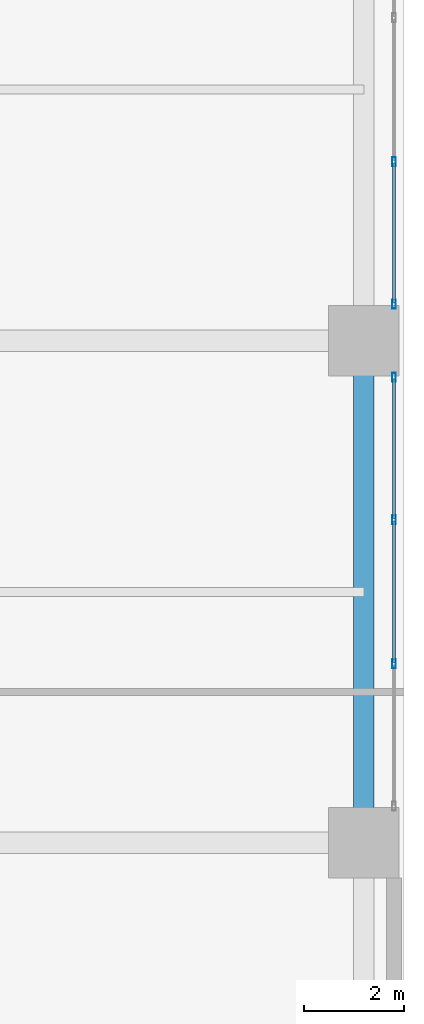
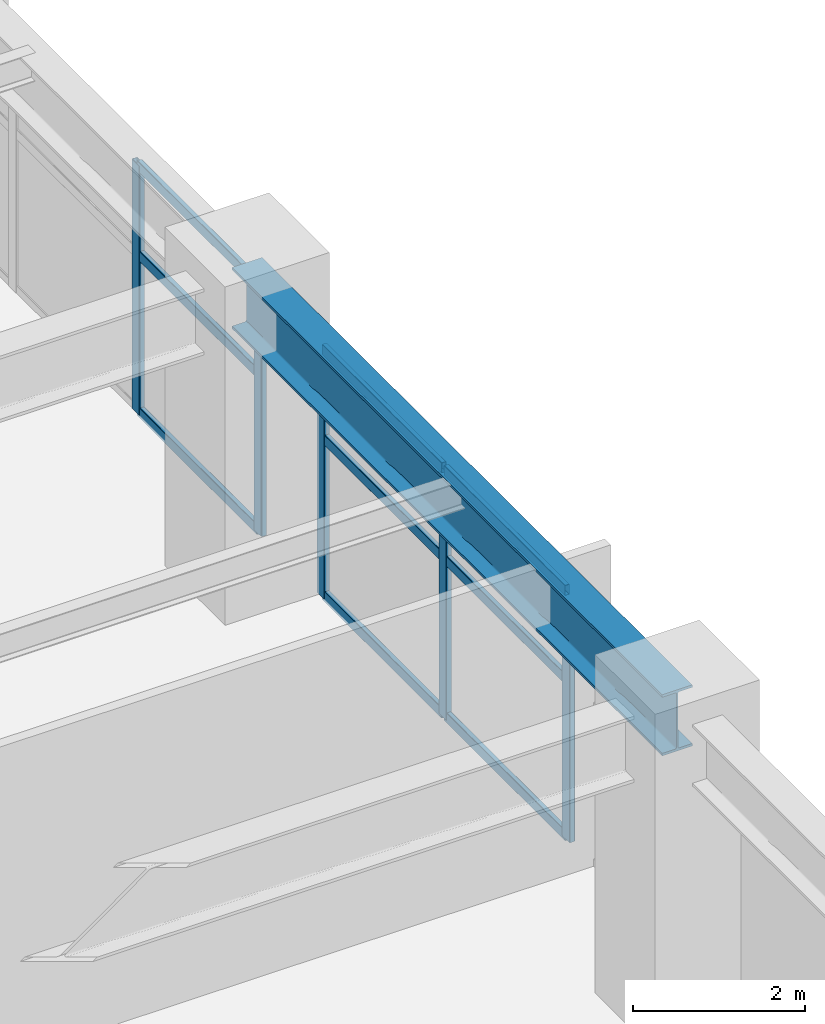
# One storey, part 15 of 28: 14 members, 1 beam, 2 elements without a shape of their own.
"""IFC4 building model written with IfcOpenShell, lengths in metres."""

import ifcopenshell
import ifcopenshell.guid

model = None  # the IFC model being written
_history = None  # IfcOwnerHistory: only IFC2X3 demands one
_inside = {}  # id of a spatial element -> (the spatial element, [elements in it])
_under = {}  # id of a project, library or spatial element -> (it, [spatial elements below it])
_declared = {}  # id of a project -> (the project, [libraries it declares])
_typed = {}  # id of a type object -> (the type object, [elements of that type])
_made_of = {}  # id of a material, layer set ... -> (it, [elements and type objects made of it])


def new_model(schema):
    """Start an empty IFC model of exactly this schema.

    Asked for "IFC4X3", IfcOpenShell would pick the latest addendum, in which some entities
    have other attributes; the version numbers below select the first issue.
    IFC2X3 requires an IfcOwnerHistory on every rooted entity: one is made here for all.
    """
    global model, _history
    if schema == "IFC4X3":
        model = ifcopenshell.file(schema_version=(4, 3, 0, 0))
    else:
        model = ifcopenshell.file(schema=schema)
    _inside.clear()
    _under.clear()
    _declared.clear()
    _typed.clear()
    _made_of.clear()
    _history = None
    if model.schema == "IFC2X3":
        org = make("IfcOrganization", Name="unknown")
        user = make(
            "IfcPersonAndOrganization",
            ThePerson=make("IfcPerson", FamilyName="unknown"),
            TheOrganization=org,
        )
        app = make(
            "IfcApplication",
            ApplicationDeveloper=org,
            Version="unknown",
            ApplicationFullName="unknown",
            ApplicationIdentifier="unknown",
        )
        _history = make(
            "IfcOwnerHistory",
            OwningUser=user,
            OwningApplication=app,
            ChangeAction="ADDED",
            CreationDate=0,
        )
    return model


def make(cls, **values):
    """One entity of the class cls with the attributes given. An attribute that is None is left unset."""
    return model.create_entity(
        cls, **{name: value for name, value in values.items() if value is not None}
    )


def rooted(cls, **values):
    """An entity with a GlobalId (a new one), such as an element, a storey or a relation."""
    return make(cls, GlobalId=ifcopenshell.guid.new(), OwnerHistory=_history, **values)


def si_unit(unit_type, name, prefix=None):
    """IfcSIUnit, for example si_unit("LENGTHUNIT", "METRE", prefix="MILLI")."""
    return make("IfcSIUnit", UnitType=unit_type, Prefix=prefix, Name=name)


def assignment(units):
    """IfcUnitAssignment: the units of a project."""
    return None if units is None else make("IfcUnitAssignment", Units=units)


def point(xyz):
    """IfcCartesianPoint."""
    return None if xyz is None else make("IfcCartesianPoint", Coordinates=xyz)


def direction(xyz):
    """IfcDirection."""
    return None if xyz is None else make("IfcDirection", DirectionRatios=xyz)


def frame(location, z_axis=None, x_axis=None):
    """IfcAxis2Placement3D, a coordinate frame: its origin and axes. An axis left out is left unset."""
    return make(
        "IfcAxis2Placement3D",
        Location=point(location),
        Axis=direction(z_axis),
        RefDirection=direction(x_axis),
    )


def frame_2d(location, x_axis=None):
    """IfcAxis2Placement2D, a coordinate frame in the plane: its origin and x axis."""
    return make(
        "IfcAxis2Placement2D", Location=point(location), RefDirection=direction(x_axis)
    )


def origin():
    """The frame at (0, 0, 0) with its axes left unset."""
    return frame((0.0, 0.0, 0.0))


def origin_2d():
    """The frame at (0, 0) in the plane with its x axis left unset."""
    return frame_2d((0.0, 0.0))


def place(relative_to, where):
    """IfcLocalPlacement: puts the frame where relative to a parent placement (None: the world)."""
    return make(
        "IfcLocalPlacement", PlacementRelTo=relative_to, RelativePlacement=where
    )


def context(
    kind, dimensions, precision=None, world=None, true_north=None, identifier=None
):
    """IfcGeometricRepresentationContext, for example the 3D "Model" context."""
    return make(
        "IfcGeometricRepresentationContext",
        ContextIdentifier=identifier,
        ContextType=kind,
        CoordinateSpaceDimension=dimensions,
        Precision=precision,
        WorldCoordinateSystem=world,
        TrueNorth=true_north,
    )


def subcontext(parent, identifier, kind, view, scale=None):
    """IfcGeometricRepresentationSubContext, for example "Body" below "Model"."""
    return make(
        "IfcGeometricRepresentationSubContext",
        ContextIdentifier=identifier,
        ContextType=kind,
        ParentContext=parent,
        TargetScale=scale,
        TargetView=view,
    )


def project(units=None, contexts=None):
    """IfcProject with its units and contexts."""
    return rooted(
        "IfcProject",
        Name="project",
        RepresentationContexts=contexts,
        UnitsInContext=assignment(units),
    )


def spatial(cls, under=None, at=None, **own):
    """A site, building, storey or space (cls), placed at a placement, below another one or the project."""
    s = rooted(cls, ObjectPlacement=at, **own)
    if under is not None:
        _under.setdefault(under.id(), (under, []))[1].append(s)
    return s


def profile(cls, at=None, kind="AREA", **sizes):
    """A parametric profile (cls). Its sizes go by their IFC names, for example OverallWidth=200.0."""
    return make(cls, ProfileType=kind, Position=at, **sizes)


def hollow_rectangle(**sizes):
    """IfcRectangleHollowProfileDef."""
    return profile("IfcRectangleHollowProfileDef", **sizes)


def i_section(**sizes):
    """IfcIShapeProfileDef."""
    return profile("IfcIShapeProfileDef", **sizes)


def extrude(swept, where, along, depth):
    """IfcExtrudedAreaSolid: the profile swept, set in the frame where, extruded along a direction by depth."""
    return make(
        "IfcExtrudedAreaSolid",
        SweptArea=swept,
        Position=where,
        ExtrudedDirection=direction(along),
        Depth=depth,
    )


def shape(context_of_items, identifier, shape_type, items):
    """IfcShapeRepresentation: the items that make up one representation, for example the "Body"."""
    return make(
        "IfcShapeRepresentation",
        ContextOfItems=context_of_items,
        RepresentationIdentifier=identifier,
        RepresentationType=shape_type,
        Items=items,
    )


def material(Name=None, Category=None):
    """IfcMaterial."""
    return make("IfcMaterial", Name=Name, Category=Category)


def layer(
    of_material, thickness, ventilated=None, Name=None, Category=None, Priority=None
):
    """IfcMaterialLayer: one layer of a wall or slab, of a material (None: an air gap)."""
    return make(
        "IfcMaterialLayer",
        Material=of_material,
        LayerThickness=thickness,
        IsVentilated=ventilated,
        Name=Name,
        Category=Category,
        Priority=Priority,
    )


def layer_set(layers, Name=None):
    """IfcMaterialLayerSet."""
    return make("IfcMaterialLayerSet", MaterialLayers=layers, LayerSetName=Name)


def material_profile(
    of_material, cross_section, Name=None, Category=None, Priority=None
):
    """IfcMaterialProfile: a cross section and its material."""
    return make(
        "IfcMaterialProfile",
        Name=Name,
        Material=of_material,
        Profile=cross_section,
        Priority=Priority,
        Category=Category,
    )


def profile_set(profiles, Name=None, composite=None):
    """IfcMaterialProfileSet."""
    return make(
        "IfcMaterialProfileSet",
        Name=Name,
        MaterialProfiles=profiles,
        CompositeProfile=composite,
    )


def made_of(thing, what):
    """Note that an element or type object is made of a material, layer set ...; save() writes the relation."""
    if what is not None:
        _made_of.setdefault(what.id(), (what, []))[1].append(thing)
    return thing


def type_object(cls, material=None, **own):
    """A type object (cls), such as IfcWallType, which elements share."""
    return made_of(rooted(cls, **own), material)


def element(
    cls,
    number,
    at=None,
    inside=None,
    cuts=None,
    type_object=None,
    material=None,
    context=None,
    identifier="Body",
    shape_type=None,
    held_by="IfcProductDefinitionShape",
    body=None,
    shapes=None,
    **own,
):
    """One element of the class cls, such as IfcWall. Its Tag is "e" and its number.

    at: its placement. inside: the storey or other place that contains it. cuts: it is an
    opening in that element (IfcRelVoidsElement). A single representation is given by context,
    identifier, shape_type and body (its items); several are given by shapes. held_by: the class
    of the entity that holds the representations. save() writes the other relations.
    """
    e = rooted(cls, Tag="e%d" % number, ObjectPlacement=at, **own)
    if body is not None:
        shapes = [shape(context, identifier, shape_type, body)]
    if shapes is not None:
        e.Representation = make(held_by, Representations=shapes)
    if inside is not None:
        _inside.setdefault(inside.id(), (inside, []))[1].append(e)
    if cuts is not None:
        rooted(
            "IfcRelVoidsElement", RelatingBuildingElement=cuts, RelatedOpeningElement=e
        )
    if type_object is not None:
        _typed.setdefault(type_object.id(), (type_object, []))[1].append(e)
    return made_of(e, material)


def aggregate(whole, parts):
    """IfcRelAggregates: a whole, such as a stair, and the parts it consists of."""
    return rooted("IfcRelAggregates", RelatingObject=whole, RelatedObjects=parts)


def save(model, path):
    """Write the relations noted so far, then the file.

    IfcRelAggregates (storeys below a building ...), IfcRelContainedInSpatialStructure (elements
    in a storey), IfcRelDefinesByType, IfcRelAssociatesMaterial and IfcRelDeclares: one each for
    every whole, place, type object, material and project.
    """
    for whole, parts in _under.values():
        aggregate(whole, parts)
    for where, things in _inside.values():
        rooted(
            "IfcRelContainedInSpatialStructure",
            RelatedElements=things,
            RelatingStructure=where,
        )
    for kind, things in _typed.values():
        rooted("IfcRelDefinesByType", RelatedObjects=things, RelatingType=kind)
    for what, things in _made_of.values():
        rooted("IfcRelAssociatesMaterial", RelatedObjects=things, RelatingMaterial=what)
    for by, libraries in _declared.values():
        rooted("IfcRelDeclares", RelatingContext=by, RelatedDefinitions=libraries)
    model.write(path)


model = new_model("IFC4")

# Units and contexts
model_context = context("Model", 3, precision=1e-05, world=origin(), true_north=direction((0.0, 1.0)))
body_context = subcontext(model_context, "Body", "Model", "MODEL_VIEW")
ifc_project = project(units=[si_unit("LENGTHUNIT", "METRE"), si_unit("AREAUNIT", "SQUARE_METRE"), si_unit("VOLUMEUNIT", "CUBIC_METRE"), si_unit("PLANEANGLEUNIT", "RADIAN"), si_unit("MASSUNIT", "GRAM", prefix="KILO")], contexts=[model_context])

# Site, building, storey
site_placement = place(None, origin())
site = spatial("IfcSite", under=ifc_project, at=site_placement, CompositionType="ELEMENT")
building_placement = place(site_placement, origin())
building = spatial("IfcBuilding", under=site, at=building_placement, Name="Soratama Intermodal Tower", CompositionType="ELEMENT")
storey_placement = place(building_placement, frame((0.0, 0.0, 11.39990234375)))
storey = spatial("IfcBuildingStorey", under=building, at=storey_placement, Name="L02", CompositionType="ELEMENT", Elevation=11.39990234375)

# Beam
ifc_material_1 = material(Name="Structural steel ASTM A992 Grade 50", Category="steel")
ifc_material_profile_1 = material_profile(ifc_material_1, i_section(OverallWidth=0.403076171875, OverallDepth=0.867919921875, WebThickness=0.02099609375, FlangeThickness=0.03564453125, FilletRadius=0.01806640625, at=origin_2d()), Name="W33X241")
ifc_profile_set_1 = profile_set([ifc_material_profile_1], Name="Structural steel ASTM A992 Grade 50")
beam_type = type_object("IfcBeamType", Name="BM-POD-EXT-W33", PredefinedType="BEAM", material=ifc_profile_set_1)
beam_placement = place(storey_placement, frame((83.199951171875, 15.0, 4.046142578125), z_axis=(0.0, 1.0, 0.0), x_axis=(-1.0, 0.0, 0.0)))
element("IfcBeam", 1, at=beam_placement, inside=storey, type_object=beam_type, Name="L02 Station Girder Y4-2", PredefinedType="BEAM", context=body_context, shape_type="SweptSolid", body=[
    extrude(i_section(OverallWidth=0.403076171875, OverallDepth=0.867919921875, WebThickness=0.02099609375, FlangeThickness=0.03564453125, FilletRadius=0.01806640625, at=origin_2d()), origin(), (0.0, 0.0, 1.0), 10.0),
])

# Curtain wall, members
ifc_material_2 = material(Name="Double-glazed aluminium curtain wall", Category="aluminium")
ifc_layer = layer(ifc_material_2, 0.159912109375)
ifc_layer_set = layer_set([ifc_layer], Name="Double-glazed aluminium curtain wall")
curtain_wall_type = type_object("IfcCurtainWallType", Name="CW-SYS-1", PredefinedType="NOTDEFINED", material=ifc_layer_set)
curtain_wall_1_placement = place(storey_placement, origin())
curtain_wall_1 = element("IfcCurtainWall", 2, at=curtain_wall_1_placement, inside=storey, type_object=curtain_wall_type, Name="L02 Station Curtain Wall E1", PredefinedType="NOTDEFINED")
ifc_material_3 = material(Name="Anodised aluminium AA 6063-T6", Category="aluminium")
ifc_material_profile_2 = material_profile(ifc_material_3, hollow_rectangle(XDim=0.074951171875, YDim=0.179931640625, WallThickness=0.006103515625, InnerFilletRadius=0.006103515625, OuterFilletRadius=0.011962890625, at=origin_2d()), Name="CWM180X75X6")
ifc_profile_set_2 = profile_set([ifc_material_profile_2], Name="Anodised aluminium AA 6063-T6")
member_type_1 = type_object("IfcMemberType", Name="MT-CWM-1", PredefinedType="MULLION", material=ifc_profile_set_2)
member_1_placement = place(storey_placement, frame((83.800048828125, 18.566650390625, 0.0), z_axis=(0.0, 0.0, 1.0), x_axis=(-1.0, 0.0, 0.0)))
member_1 = element("IfcMember", 3, at=member_1_placement, type_object=member_type_1, Name="CW-1 mullion 2", PredefinedType="MULLION", context=body_context, shape_type="SweptSolid", body=[
    extrude(hollow_rectangle(XDim=0.074951171875, YDim=0.179931640625, WallThickness=0.006103515625, InnerFilletRadius=0.006103515625, OuterFilletRadius=0.011962890625, at=origin_2d()), origin(), (0.0, 0.0, 1.0), 3.5361328125),
])
member_2_placement = place(storey_placement, frame((83.800048828125, 21.433349609375, 0.0), z_axis=(0.0, 0.0, 1.0), x_axis=(-1.0, 0.0, 0.0)))
member_2 = element("IfcMember", 4, at=member_2_placement, type_object=member_type_1, Name="CW-1 mullion 3", PredefinedType="MULLION", context=body_context, shape_type="SweptSolid", body=[
    extrude(hollow_rectangle(XDim=0.074951171875, YDim=0.179931640625, WallThickness=0.006103515625, InnerFilletRadius=0.006103515625, OuterFilletRadius=0.011962890625, at=origin_2d()), origin(), (0.0, 0.0, 1.0), 3.5361328125),
])
member_3_placement = place(storey_placement, frame((83.800048828125, 24.27001953125, 0.0), z_axis=(0.0, 0.0, 1.0), x_axis=(-1.0, 0.0, 0.0)))
member_3 = element("IfcMember", 5, at=member_3_placement, type_object=member_type_1, Name="CW-1 mullion 4", PredefinedType="MULLION", context=body_context, shape_type="SweptSolid", body=[
    extrude(hollow_rectangle(XDim=0.074951171875, YDim=0.179931640625, WallThickness=0.006103515625, InnerFilletRadius=0.006103515625, OuterFilletRadius=0.011962890625, at=origin_2d()), origin(), (0.0, 0.0, 1.0), 3.5361328125),
])

curtain_wall_2_placement = place(storey_placement, origin())
curtain_wall_2 = element("IfcCurtainWall", 6, at=curtain_wall_2_placement, inside=storey, type_object=curtain_wall_type, Name="L02 Station Curtain Wall E2", PredefinedType="NOTDEFINED")
member_4_placement = place(storey_placement, frame((83.800048828125, 25.72998046875, 0.0), z_axis=(0.0, 0.0, 1.0), x_axis=(-1.0, 0.0, 0.0)))
member_4 = element("IfcMember", 7, at=member_4_placement, type_object=member_type_1, Name="CW-1 mullion 1", PredefinedType="MULLION", context=body_context, shape_type="SweptSolid", body=[
    extrude(hollow_rectangle(XDim=0.074951171875, YDim=0.179931640625, WallThickness=0.006103515625, InnerFilletRadius=0.006103515625, OuterFilletRadius=0.011962890625, at=origin_2d()), origin(), (0.0, 0.0, 1.0), 3.5361328125),
])
member_5_placement = place(storey_placement, frame((83.800048828125, 28.566650390625, 0.0), z_axis=(0.0, 0.0, 1.0), x_axis=(-1.0, 0.0, 0.0)))
member_5 = element("IfcMember", 8, at=member_5_placement, type_object=member_type_1, Name="CW-1 mullion 2", PredefinedType="MULLION", context=body_context, shape_type="SweptSolid", body=[
    extrude(hollow_rectangle(XDim=0.074951171875, YDim=0.179931640625, WallThickness=0.006103515625, InnerFilletRadius=0.006103515625, OuterFilletRadius=0.011962890625, at=origin_2d()), origin(), (0.0, 0.0, 1.0), 3.5361328125),
])

# Member
ifc_material_4 = material(Name="Anodised aluminium AA 6063-T6", Category="aluminium")
ifc_material_profile_3 = material_profile(ifc_material_4, hollow_rectangle(XDim=0.06494140625, YDim=0.14990234375, WallThickness=0.0048828125, InnerFilletRadius=0.0048828125, OuterFilletRadius=0.010009765625, at=origin_2d()), Name="CWT150X65X5")
ifc_profile_set_3 = profile_set([ifc_material_profile_3], Name="Anodised aluminium AA 6063-T6")
member_type_2 = type_object("IfcMemberType", Name="TT-CWT-1", PredefinedType="USERDEFINED", material=ifc_profile_set_3)
member_6_placement = place(storey_placement, frame((83.800048828125, 18.5966796875, 0.030029296875), z_axis=(0.0, 1.0, 0.0), x_axis=(-1.0, 0.0, 0.0)))
member_6 = element("IfcMember", 9, at=member_6_placement, type_object=member_type_2, Name="CW-1 transom 2.1", ObjectType="TRANSOM", PredefinedType="USERDEFINED", context=body_context, shape_type="SweptSolid", body=[
    extrude(hollow_rectangle(XDim=0.06494140625, YDim=0.14990234375, WallThickness=0.0048828125, InnerFilletRadius=0.0048828125, OuterFilletRadius=0.010009765625, at=origin_2d()), origin(), (0.0, 0.0, 1.0), 2.806640625),
])

member_7_placement = place(storey_placement, frame((83.800048828125, 18.5966796875, 2.25), z_axis=(0.0, 1.0, 0.0), x_axis=(-1.0, 0.0, 0.0)))
member_7 = element("IfcMember", 10, at=member_7_placement, type_object=member_type_2, Name="CW-1 transom 2.2", ObjectType="TRANSOM", PredefinedType="USERDEFINED", context=body_context, shape_type="SweptSolid", body=[
    extrude(hollow_rectangle(XDim=0.06494140625, YDim=0.14990234375, WallThickness=0.0048828125, InnerFilletRadius=0.0048828125, OuterFilletRadius=0.010009765625, at=origin_2d()), origin(), (0.0, 0.0, 1.0), 2.806640625),
])

member_8_placement = place(storey_placement, frame((83.800048828125, 18.5966796875, 3.506103515625), z_axis=(0.0, 1.0, 0.0), x_axis=(-1.0, 0.0, 0.0)))
member_8 = element("IfcMember", 11, at=member_8_placement, type_object=member_type_2, Name="CW-1 transom 2.3", ObjectType="TRANSOM", PredefinedType="USERDEFINED", context=body_context, shape_type="SweptSolid", body=[
    extrude(hollow_rectangle(XDim=0.06494140625, YDim=0.14990234375, WallThickness=0.0048828125, InnerFilletRadius=0.0048828125, OuterFilletRadius=0.010009765625, at=origin_2d()), origin(), (0.0, 0.0, 1.0), 2.806640625),
])

member_9_placement = place(storey_placement, frame((83.800048828125, 21.46337890625, 0.030029296875), z_axis=(0.0, 1.0, 0.0), x_axis=(-1.0, 0.0, 0.0)))
member_9 = element("IfcMember", 12, at=member_9_placement, type_object=member_type_2, Name="CW-1 transom 3.1", ObjectType="TRANSOM", PredefinedType="USERDEFINED", context=body_context, shape_type="SweptSolid", body=[
    extrude(hollow_rectangle(XDim=0.06494140625, YDim=0.14990234375, WallThickness=0.0048828125, InnerFilletRadius=0.0048828125, OuterFilletRadius=0.010009765625, at=origin_2d()), origin(), (0.0, 0.0, 1.0), 2.776611328125),
])

member_10_placement = place(storey_placement, frame((83.800048828125, 21.46337890625, 2.25), z_axis=(0.0, 1.0, 0.0), x_axis=(-1.0, 0.0, 0.0)))
member_10 = element("IfcMember", 13, at=member_10_placement, type_object=member_type_2, Name="CW-1 transom 3.2", ObjectType="TRANSOM", PredefinedType="USERDEFINED", context=body_context, shape_type="SweptSolid", body=[
    extrude(hollow_rectangle(XDim=0.06494140625, YDim=0.14990234375, WallThickness=0.0048828125, InnerFilletRadius=0.0048828125, OuterFilletRadius=0.010009765625, at=origin_2d()), origin(), (0.0, 0.0, 1.0), 2.776611328125),
])

member_11_placement = place(storey_placement, frame((83.800048828125, 21.46337890625, 3.506103515625), z_axis=(0.0, 1.0, 0.0), x_axis=(-1.0, 0.0, 0.0)))
member_11 = element("IfcMember", 14, at=member_11_placement, type_object=member_type_2, Name="CW-1 transom 3.3", ObjectType="TRANSOM", PredefinedType="USERDEFINED", context=body_context, shape_type="SweptSolid", body=[
    extrude(hollow_rectangle(XDim=0.06494140625, YDim=0.14990234375, WallThickness=0.0048828125, InnerFilletRadius=0.0048828125, OuterFilletRadius=0.010009765625, at=origin_2d()), origin(), (0.0, 0.0, 1.0), 2.776611328125),
])

aggregate(curtain_wall_1, [member_1, member_2, member_3, member_6, member_7, member_8, member_9, member_10, member_11])

member_12_placement = place(storey_placement, frame((83.800048828125, 25.760009765625, 0.030029296875), z_axis=(0.0, 1.0, 0.0), x_axis=(-1.0, 0.0, 0.0)))
member_12 = element("IfcMember", 15, at=member_12_placement, type_object=member_type_2, Name="CW-1 transom 1.1", ObjectType="TRANSOM", PredefinedType="USERDEFINED", context=body_context, shape_type="SweptSolid", body=[
    extrude(hollow_rectangle(XDim=0.06494140625, YDim=0.14990234375, WallThickness=0.0048828125, InnerFilletRadius=0.0048828125, OuterFilletRadius=0.010009765625, at=origin_2d()), origin(), (0.0, 0.0, 1.0), 2.776611328125),
])

member_13_placement = place(storey_placement, frame((83.800048828125, 25.760009765625, 2.25), z_axis=(0.0, 1.0, 0.0), x_axis=(-1.0, 0.0, 0.0)))
member_13 = element("IfcMember", 16, at=member_13_placement, type_object=member_type_2, Name="CW-1 transom 1.2", ObjectType="TRANSOM", PredefinedType="USERDEFINED", context=body_context, shape_type="SweptSolid", body=[
    extrude(hollow_rectangle(XDim=0.06494140625, YDim=0.14990234375, WallThickness=0.0048828125, InnerFilletRadius=0.0048828125, OuterFilletRadius=0.010009765625, at=origin_2d()), origin(), (0.0, 0.0, 1.0), 2.776611328125),
])

member_14_placement = place(storey_placement, frame((83.800048828125, 25.760009765625, 3.506103515625), z_axis=(0.0, 1.0, 0.0), x_axis=(-1.0, 0.0, 0.0)))
member_14 = element("IfcMember", 17, at=member_14_placement, type_object=member_type_2, Name="CW-1 transom 1.3", ObjectType="TRANSOM", PredefinedType="USERDEFINED", context=body_context, shape_type="SweptSolid", body=[
    extrude(hollow_rectangle(XDim=0.06494140625, YDim=0.14990234375, WallThickness=0.0048828125, InnerFilletRadius=0.0048828125, OuterFilletRadius=0.010009765625, at=origin_2d()), origin(), (0.0, 0.0, 1.0), 2.776611328125),
])

aggregate(curtain_wall_2, [member_4, member_5, member_12, member_13, member_14])

save(model, "model.ifc")
